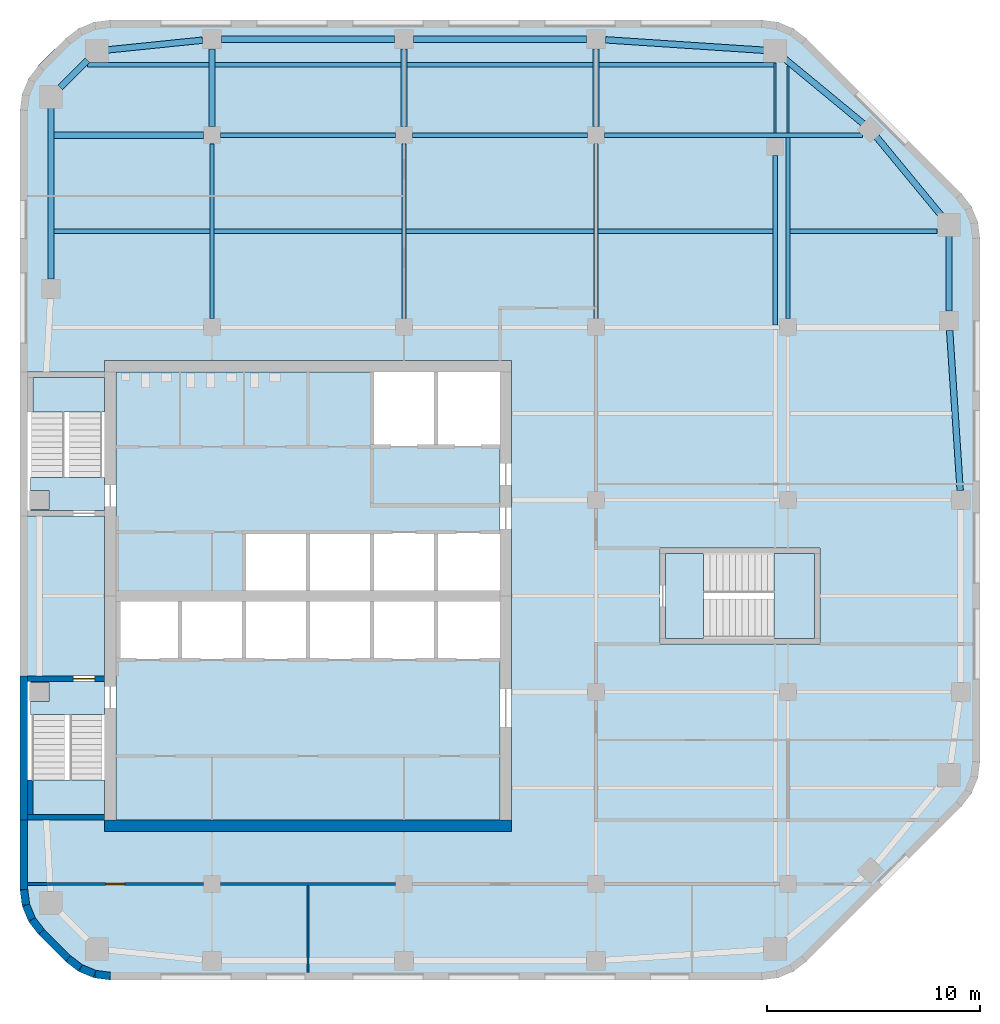
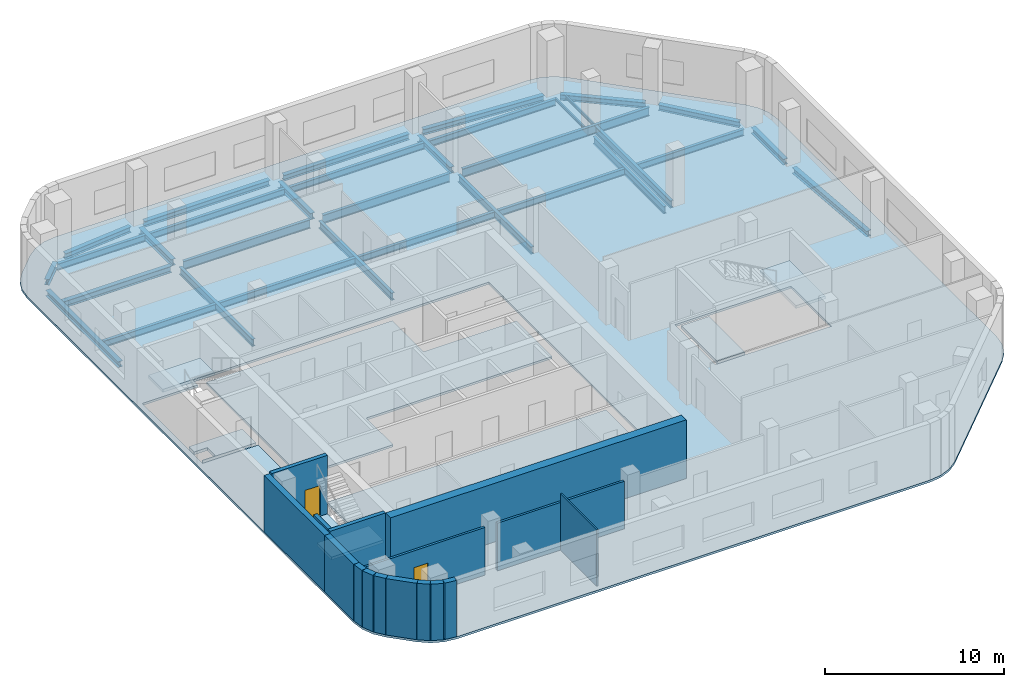
# One storey, part 2 of 7: 33 beams, 16 walls, 9 slabs, 2 doors, 2 openings, 3 elements without a shape of their own.
"""IFC4 building model written with IfcOpenShell, lengths in metres."""

from ifc_helpers import new_model, si_unit, direction, frame, frame_2d, origin, origin_2d, place, context, subcontext, project, spatial, polyline, rectangle, i_section, outline, extrude, material, layer, layer_set, material_profile, profile_set, type_object, element, fill, aggregate, save


model = new_model("IFC4")

# Units and contexts
model_context = context("Model", 3, precision=1e-05, world=origin(), true_north=direction((0.0, 1.0)))
body_context = subcontext(model_context, "Body", "Model", "MODEL_VIEW")
ifc_project = project(units=[si_unit("LENGTHUNIT", "METRE"), si_unit("AREAUNIT", "SQUARE_METRE"), si_unit("VOLUMEUNIT", "CUBIC_METRE"), si_unit("PLANEANGLEUNIT", "RADIAN"), si_unit("MASSUNIT", "GRAM", prefix="KILO")], contexts=[model_context])

# Site, building, storey
site_placement = place(None, origin())
site = spatial("IfcSite", under=ifc_project, at=site_placement, CompositionType="ELEMENT")
building_placement = place(site_placement, origin())
building = spatial("IfcBuilding", under=site, at=building_placement, Name="Cinnabar Reach Civic Tower", CompositionType="ELEMENT")
storey_placement = place(building_placement, frame((0.0, 0.0, 218.0)))
storey = spatial("IfcBuildingStorey", under=building, at=storey_placement, Name="L52", CompositionType="ELEMENT", Elevation=218.0)

# Beams
ifc_material_1 = material(Name="Steel Q355B", Category="steel")
ifc_material_profile_1 = material_profile(ifc_material_1, i_section(OverallWidth=0.3, OverallDepth=0.39, WebThickness=0.01, FlangeThickness=0.016, FilletRadius=0.013, at=origin_2d()), Name="HM390x300x10x16")
ifc_profile_set_1 = profile_set([ifc_material_profile_1], Name="Steel Q355B")
beam_type_1 = type_object("IfcBeamType", Name="HM390x300x10x16 beam R 180", PredefinedType="BEAM", material=ifc_profile_set_1)
beam_1_placement = place(storey_placement, frame((44.0702, 36.452, -0.345), z_axis=(-0.065709484267, 0.997838796438, 0.0), x_axis=(-0.997838796438, -0.065709484267, 0.0)))
element("IfcBeam", 1, at=beam_1_placement, inside=storey, type_object=beam_type_1, Name="Edge beam T1 L52 9", PredefinedType="BEAM", context=body_context, shape_type="SweptSolid", body=[
    extrude(i_section(OverallWidth=0.3, OverallDepth=0.39, WebThickness=0.01, FlangeThickness=0.016, FilletRadius=0.013, at=origin_2d()), origin(), (0.0, 0.0, 1.0), 7.5103),
])
beam_2_placement = place(storey_placement, frame((43.5469, 44.8501, -0.345), z_axis=(0.0, 1.0, 0.0), x_axis=(-1.0, 0.0, 0.0)))
element("IfcBeam", 2, at=beam_2_placement, inside=storey, type_object=beam_type_1, Name="Edge beam T1 L52 10", PredefinedType="BEAM", context=body_context, shape_type="SweptSolid", body=[
    extrude(i_section(OverallWidth=0.3, OverallDepth=0.39, WebThickness=0.01, FlangeThickness=0.016, FilletRadius=0.013, at=origin_2d()), origin(), (0.0, 0.0, 1.0), 3.616),
])
for number, where, z_axis, x_axis, name in (
    (3, (43.1906, 49.3301, -0.345), (-0.63630880182, 0.771434448755, 0.0), (-0.771434448755, -0.63630880182, 0.0), "Edge beam T1 L52 11"),
    (4, (39.5598, 53.6142, -0.345), (-0.771434448755, 0.63630880182, 0.0), (-0.63630880182, -0.771434448755, 0.0), "Edge beam T1 L52 12"),
):
    element("IfcBeam", number, at=place(storey_placement, frame(where, z_axis=z_axis, x_axis=x_axis)), inside=storey, type_object=beam_type_1, Name=name, PredefinedType="BEAM", context=body_context, shape_type="SweptSolid", body=[
        extrude(i_section(OverallWidth=0.3, OverallDepth=0.39, WebThickness=0.01, FlangeThickness=0.016, FilletRadius=0.013, at=origin_2d()), origin(), (0.0, 0.0, 1.0), 4.8348),
    ])
beam_3_placement = place(storey_placement, frame((34.9661, 57.0754, -0.345), z_axis=(-0.99783894477, 0.065707231721, 0.0), x_axis=(-0.065707231721, -0.99783894477, 0.0)))
element("IfcBeam", 5, at=beam_3_placement, inside=storey, type_object=beam_type_1, Name="Edge beam T1 L52 13", PredefinedType="BEAM", context=body_context, shape_type="SweptSolid", body=[
    extrude(i_section(OverallWidth=0.3, OverallDepth=0.39, WebThickness=0.01, FlangeThickness=0.016, FilletRadius=0.013, at=origin_2d()), origin(), (0.0, 0.0, 1.0), 7.5304),
])
for number, where, z_axis, x_axis, name in (
    (6, (26.548, 57.6, -0.345), (-1.0, 0.0, 0.0), (0.0, -1.0, 0.0), "Edge beam T1 L52 14"),
    (7, (17.548, 57.6, -0.345), (-1.0, 0.0, 0.0), (0.0, -1.0, 0.0), "Edge beam T1 L52 15"),
):
    element("IfcBeam", number, at=place(storey_placement, frame(where, z_axis=z_axis, x_axis=x_axis)), inside=storey, type_object=beam_type_1, Name=name, PredefinedType="BEAM", context=body_context, shape_type="SweptSolid", body=[
        extrude(i_section(OverallWidth=0.3, OverallDepth=0.39, WebThickness=0.01, FlangeThickness=0.016, FilletRadius=0.013, at=origin_2d()), origin(), (0.0, 0.0, 1.0), 8.096),
    ])
beam_4_placement = place(storey_placement, frame((8.548, 57.5537, -0.345), z_axis=(-0.994792272495, -0.101923179821, 0.0), x_axis=(0.101923179821, -0.994792272495, 0.0)))
element("IfcBeam", 8, at=beam_4_placement, inside=storey, type_object=beam_type_1, Name="Edge beam T1 L52 16", PredefinedType="BEAM", context=body_context, shape_type="SweptSolid", body=[
    extrude(i_section(OverallWidth=0.3, OverallDepth=0.39, WebThickness=0.01, FlangeThickness=0.016, FilletRadius=0.013, at=origin_2d()), origin(), (0.0, 0.0, 1.0), 4.5377),
])
beam_5_placement = place(storey_placement, frame((3.1699, 56.6149, -0.345), z_axis=(-0.707106781187, -0.707106781187, 0.0), x_axis=(0.707106781187, -0.707106781187, 0.0)))
element("IfcBeam", 9, at=beam_5_placement, inside=storey, type_object=beam_type_1, Name="Edge beam T1 L52 17", PredefinedType="BEAM", context=body_context, shape_type="SweptSolid", body=[
    extrude(i_section(OverallWidth=0.3, OverallDepth=0.39, WebThickness=0.01, FlangeThickness=0.016, FilletRadius=0.013, at=origin_2d()), origin(), (0.0, 0.0, 1.0), 1.817),
])
beam_6_placement = place(storey_placement, frame((1.4531, 54.4661, -0.345), z_axis=(0.0, -1.0, 0.0), x_axis=(1.0, 0.0, 0.0)))
element("IfcBeam", 10, at=beam_6_placement, inside=storey, type_object=beam_type_1, Name="Edge beam T1 L52 18", PredefinedType="BEAM", context=body_context, shape_type="SweptSolid", body=[
    extrude(i_section(OverallWidth=0.3, OverallDepth=0.39, WebThickness=0.01, FlangeThickness=0.016, FilletRadius=0.013, at=origin_2d()), origin(), (0.0, 0.0, 1.0), 8.116),
])
ifc_material_profile_2 = material_profile(ifc_material_1, i_section(OverallWidth=0.3, OverallDepth=0.44, WebThickness=0.011, FlangeThickness=0.018, FilletRadius=0.016, at=origin_2d()), Name="HM440x300x11x18")
ifc_profile_set_2 = profile_set([ifc_material_profile_2], Name="Steel Q355B")
beam_type_2 = type_object("IfcBeamType", Name="HM440x300x11x18 beam R 180", PredefinedType="BEAM", material=ifc_profile_set_2)
beam_7_placement = place(storey_placement, frame((1.6051, 53.1, -0.37), z_axis=(1.0, 0.0, 0.0), x_axis=(0.0, 1.0, 0.0)))
element("IfcBeam", 11, at=beam_7_placement, inside=storey, type_object=beam_type_2, Name="Girder T1 L52 17", PredefinedType="BEAM", context=body_context, shape_type="SweptSolid", body=[
    extrude(i_section(OverallWidth=0.3, OverallDepth=0.44, WebThickness=0.011, FlangeThickness=0.018, FilletRadius=0.016, at=origin_2d()), origin(), (0.0, 0.0, 1.0), 6.9929),
])
for number, where, z_axis, x_axis, name in (
    (12, (9.0, 53.502, -0.37), (0.0, 1.0, 0.0), (-1.0, 0.0, 0.0), "Girder T1 L52 5"),
    (13, (18.0, 53.502, -0.37), (0.0, 1.0, 0.0), (-1.0, 0.0, 0.0), "Girder T1 L52 10"),
    (14, (27.0, 53.502, -0.37), (0.0, 1.0, 0.0), (-1.0, 0.0, 0.0), "Girder T1 L52 16"),
):
    element("IfcBeam", number, at=place(storey_placement, frame(where, z_axis=z_axis, x_axis=x_axis)), inside=storey, type_object=beam_type_2, Name=name, PredefinedType="BEAM", context=body_context, shape_type="SweptSolid", body=[
        extrude(i_section(OverallWidth=0.3, OverallDepth=0.44, WebThickness=0.011, FlangeThickness=0.018, FilletRadius=0.016, at=origin_2d()), origin(), (0.0, 0.0, 1.0), 3.646),
    ])
ifc_material_profile_3 = material_profile(ifc_material_1, i_section(OverallWidth=0.099, OverallDepth=0.198, WebThickness=0.0045, FlangeThickness=0.007, FilletRadius=0.013, at=origin_2d()), Name="HN200x100x5.5x8")
ifc_profile_set_3 = profile_set([ifc_material_profile_3], Name="Steel Q355B")
beam_type_3 = type_object("IfcBeamType", Name="HN200x100x5.5x8 beam R 180", PredefinedType="BEAM", material=ifc_profile_set_3)
beam_8_placement = place(storey_placement, frame((35.3981, 53.2015, -0.249), z_axis=(0.0, 1.0, 0.0), x_axis=(-1.0, 0.0, 0.0)))
element("IfcBeam", 15, at=beam_8_placement, inside=storey, type_object=beam_type_3, Name="Girder T1 L52 23", PredefinedType="BEAM", context=body_context, shape_type="SweptSolid", body=[
    extrude(i_section(OverallWidth=0.099, OverallDepth=0.198, WebThickness=0.0045, FlangeThickness=0.007, FilletRadius=0.013, at=origin_2d()), origin(), (0.0, 0.0, 1.0), 3.2934),
])
beam_9_placement = place(storey_placement, frame((36.0, 53.2015, -0.249), z_axis=(0.0, 1.0, 0.0), x_axis=(-1.0, 0.0, 0.0)))
element("IfcBeam", 16, at=beam_9_placement, inside=storey, type_object=beam_type_3, Name="Girder T1 L52 30", PredefinedType="BEAM", context=body_context, shape_type="SweptSolid", body=[
    extrude(i_section(OverallWidth=0.099, OverallDepth=0.198, WebThickness=0.0045, FlangeThickness=0.007, FilletRadius=0.013, at=origin_2d()), origin(), (0.0, 0.0, 1.0), 3.1519),
])
ifc_material_profile_4 = material_profile(ifc_material_1, i_section(OverallWidth=0.199, OverallDepth=0.446, WebThickness=0.008, FlangeThickness=0.012, FilletRadius=0.016, at=origin_2d()), Name="HN446x199x8x12")
ifc_profile_set_4 = profile_set([ifc_material_profile_4], Name="Steel Q355B")
beam_type_4 = type_object("IfcBeamType", Name="HN446x199x8x12 beam R 180", PredefinedType="BEAM", material=ifc_profile_set_4)
beam_10_placement = place(storey_placement, frame((1.6051, 48.6, -0.373), z_axis=(1.0, 0.0, 0.0), x_axis=(0.0, 1.0, 0.0)))
element("IfcBeam", 17, at=beam_10_placement, inside=storey, type_object=beam_type_4, Name="Secondary beam T1 L52 11", PredefinedType="BEAM", context=body_context, shape_type="SweptSolid", body=[
    extrude(i_section(OverallWidth=0.199, OverallDepth=0.446, WebThickness=0.008, FlangeThickness=0.012, FilletRadius=0.016, at=origin_2d()), origin(), (0.0, 0.0, 1.0), 7.2929),
])
for number, where, z_axis, x_axis, name in (
    (18, (9.102, 48.6, -0.373), (1.0, 0.0, 0.0), (0.0, 1.0, 0.0), "Secondary beam T1 L52 12"),
    (19, (18.102, 48.6, -0.373), (1.0, 0.0, 0.0), (0.0, 1.0, 0.0), "Secondary beam T1 L52 13"),
):
    element("IfcBeam", number, at=place(storey_placement, frame(where, z_axis=z_axis, x_axis=x_axis)), inside=storey, type_object=beam_type_4, Name=name, PredefinedType="BEAM", context=body_context, shape_type="SweptSolid", body=[
        extrude(i_section(OverallWidth=0.199, OverallDepth=0.446, WebThickness=0.008, FlangeThickness=0.012, FilletRadius=0.016, at=origin_2d()), origin(), (0.0, 0.0, 1.0), 8.796),
    ])
beam_11_placement = place(storey_placement, frame((27.102, 48.6, -0.373), z_axis=(1.0, 0.0, 0.0), x_axis=(0.0, 1.0, 0.0)))
element("IfcBeam", 20, at=beam_11_placement, inside=storey, type_object=beam_type_4, Name="Secondary beam T1 L52 14", PredefinedType="BEAM", context=body_context, shape_type="SweptSolid", body=[
    extrude(i_section(OverallWidth=0.199, OverallDepth=0.446, WebThickness=0.008, FlangeThickness=0.012, FilletRadius=0.016, at=origin_2d()), origin(), (0.0, 0.0, 1.0), 8.1941),
])
beam_12_placement = place(storey_placement, frame((36.102, 48.6, -0.373), z_axis=(1.0, 0.0, 0.0), x_axis=(0.0, 1.0, 0.0)))
element("IfcBeam", 21, at=beam_12_placement, inside=storey, type_object=beam_type_4, Name="Secondary beam T1 L52 15", PredefinedType="BEAM", context=body_context, shape_type="SweptSolid", body=[
    extrude(i_section(OverallWidth=0.199, OverallDepth=0.446, WebThickness=0.008, FlangeThickness=0.012, FilletRadius=0.016, at=origin_2d()), origin(), (0.0, 0.0, 1.0), 6.8929),
])
beam_13_placement = place(storey_placement, frame((3.17, 56.4, -0.373), z_axis=(1.0, 0.0, 0.0), x_axis=(0.0, 1.0, 0.0)))
element("IfcBeam", 22, at=beam_13_placement, inside=storey, type_object=beam_type_4, Name="Secondary beam T1 L52 16", PredefinedType="BEAM", context=body_context, shape_type="SweptSolid", body=[
    extrude(i_section(OverallWidth=0.199, OverallDepth=0.446, WebThickness=0.008, FlangeThickness=0.012, FilletRadius=0.016, at=origin_2d()), origin(), (0.0, 0.0, 1.0), 5.678),
])
for number, where, z_axis, x_axis, name in (
    (23, (9.152, 56.4, -0.373), (1.0, 0.0, 0.0), (0.0, 1.0, 0.0), "Secondary beam T1 L52 17"),
    (24, (18.152, 56.4, -0.373), (1.0, 0.0, 0.0), (0.0, 1.0, 0.0), "Secondary beam T1 L52 18"),
):
    element("IfcBeam", number, at=place(storey_placement, frame(where, z_axis=z_axis, x_axis=x_axis)), inside=storey, type_object=beam_type_4, Name=name, PredefinedType="BEAM", context=body_context, shape_type="SweptSolid", body=[
        extrude(i_section(OverallWidth=0.199, OverallDepth=0.446, WebThickness=0.008, FlangeThickness=0.012, FilletRadius=0.016, at=origin_2d()), origin(), (0.0, 0.0, 1.0), 8.696),
    ])
beam_14_placement = place(storey_placement, frame((27.152, 56.4, -0.373), z_axis=(1.0, 0.0, 0.0), x_axis=(0.0, 1.0, 0.0)))
element("IfcBeam", 25, at=beam_14_placement, inside=storey, type_object=beam_type_4, Name="Secondary beam T1 L52 19", PredefinedType="BEAM", context=body_context, shape_type="SweptSolid", body=[
    extrude(i_section(OverallWidth=0.199, OverallDepth=0.446, WebThickness=0.008, FlangeThickness=0.012, FilletRadius=0.016, at=origin_2d()), origin(), (0.0, 0.0, 1.0), 8.1946),
])
ifc_material_profile_5 = material_profile(ifc_material_1, i_section(OverallWidth=0.2, OverallDepth=0.5, WebThickness=0.01, FlangeThickness=0.016, FilletRadius=0.016, at=origin_2d()), Name="HN500x200x10x16")
ifc_profile_set_5 = profile_set([ifc_material_profile_5], Name="Steel Q355B")
beam_type_5 = type_object("IfcBeamType", Name="HN500x200x10x16 beam R 180", PredefinedType="BEAM", material=ifc_profile_set_5)
for number, where, z_axis, x_axis, name in (
    (26, (9.0, 44.502, -0.4), (0.0, 1.0, 0.0), (-1.0, 0.0, 0.0), "Girder T1 L52 4"),
    (27, (18.0, 44.502, -0.4), (0.0, 1.0, 0.0), (-1.0, 0.0, 0.0), "Girder T1 L52 9"),
    (28, (27.0, 44.502, -0.4), (0.0, 1.0, 0.0), (-1.0, 0.0, 0.0), "Girder T1 L52 15"),
):
    element("IfcBeam", number, at=place(storey_placement, frame(where, z_axis=z_axis, x_axis=x_axis)), inside=storey, type_object=beam_type_5, Name=name, PredefinedType="BEAM", context=body_context, shape_type="SweptSolid", body=[
        extrude(i_section(OverallWidth=0.2, OverallDepth=0.5, WebThickness=0.01, FlangeThickness=0.016, FilletRadius=0.016, at=origin_2d()), origin(), (0.0, 0.0, 1.0), 8.196),
    ])
beam_15_placement = place(storey_placement, frame((35.3981, 44.2015, -0.4), z_axis=(0.0, 1.0, 0.0), x_axis=(-1.0, 0.0, 0.0)))
element("IfcBeam", 29, at=beam_15_placement, inside=storey, type_object=beam_type_5, Name="Girder T1 L52 22", PredefinedType="BEAM", context=body_context, shape_type="SweptSolid", body=[
    extrude(i_section(OverallWidth=0.2, OverallDepth=0.5, WebThickness=0.01, FlangeThickness=0.016, FilletRadius=0.016, at=origin_2d()), origin(), (0.0, 0.0, 1.0), 7.9434),
])
beam_16_placement = place(storey_placement, frame((36.0, 44.502, -0.4), z_axis=(0.0, 1.0, 0.0), x_axis=(-1.0, 0.0, 0.0)))
element("IfcBeam", 30, at=beam_16_placement, inside=storey, type_object=beam_type_5, Name="Girder T1 L52 29", PredefinedType="BEAM", context=body_context, shape_type="SweptSolid", body=[
    extrude(i_section(OverallWidth=0.2, OverallDepth=0.5, WebThickness=0.01, FlangeThickness=0.016, FilletRadius=0.016, at=origin_2d()), origin(), (0.0, 0.0, 1.0), 8.4965),
])
ifc_material_profile_6 = material_profile(ifc_material_1, i_section(OverallWidth=0.199, OverallDepth=0.596, WebThickness=0.01, FlangeThickness=0.015, FilletRadius=0.016, at=origin_2d()), Name="HN596x199x10x15")
ifc_profile_set_6 = profile_set([ifc_material_profile_6], Name="Steel Q355B")
beam_type_6 = type_object("IfcBeamType", Name="HN596x199x10x15 beam R 180", PredefinedType="BEAM", material=ifc_profile_set_6)
for number, where, z_axis, x_axis, name in (
    (31, (9.402, 53.1, -0.448), (1.0, 0.0, 0.0), (0.0, 1.0, 0.0), "Girder T1 L52 18"),
    (32, (18.402, 53.1, -0.448), (1.0, 0.0, 0.0), (0.0, 1.0, 0.0), "Girder T1 L52 19"),
):
    element("IfcBeam", number, at=place(storey_placement, frame(where, z_axis=z_axis, x_axis=x_axis)), inside=storey, type_object=beam_type_6, Name=name, PredefinedType="BEAM", context=body_context, shape_type="SweptSolid", body=[
        extrude(i_section(OverallWidth=0.199, OverallDepth=0.596, WebThickness=0.01, FlangeThickness=0.015, FilletRadius=0.016, at=origin_2d()), origin(), (0.0, 0.0, 1.0), 8.196),
    ])
beam_17_placement = place(storey_placement, frame((27.402, 53.1, -0.448), z_axis=(1.0, 0.0, 0.0), x_axis=(0.0, 1.0, 0.0)))
element("IfcBeam", 33, at=beam_17_placement, inside=storey, type_object=beam_type_6, Name="Girder T1 L52 20", PredefinedType="BEAM", context=body_context, shape_type="SweptSolid", body=[
    extrude(i_section(OverallWidth=0.199, OverallDepth=0.596, WebThickness=0.01, FlangeThickness=0.015, FilletRadius=0.016, at=origin_2d()), origin(), (0.0, 0.0, 1.0), 12.086),
])

# Slab
ifc_material_2 = material(Name="Concrete C40", Category="concrete")
ifc_layer_1 = layer(ifc_material_2, 0.15)
ifc_layer_set_1 = layer_set([ifc_layer_1], Name="Composite floor slab 150 REI 150")
slab_type_1 = type_object("IfcSlabType", Name="Composite floor slab 150 REI 150", PredefinedType="FLOOR", material=ifc_layer_set_1)
slab_1_placement = place(storey_placement, frame((0.0, 0.0, -0.15)))
element("IfcSlab", 34, at=slab_1_placement, inside=storey, type_object=slab_type_1, Name="Composite floor slab 150 T1 L52", PredefinedType="FLOOR", context=body_context, shape_type="SweptSolid", body=[
    extrude(outline(polyline([(0.8787, 15.6213), (0.4019, 16.2426), (0.1022, 16.9662), (0.0, 17.7426), (0.0, 54.2574), (0.1022, 55.0338), (0.4019, 55.7574), (0.8787, 56.3787), (2.1213, 57.6213), (2.7426, 58.0981), (3.4662, 58.3978), (4.2426, 58.5), (34.7574, 58.5), (35.5338, 58.3978), (36.2574, 58.0981), (36.8787, 57.6213), (44.1213, 50.3787), (44.5981, 49.7574), (44.8978, 49.0338), (45.0, 48.2574), (45.0, 23.7426), (44.8978, 22.9662), (44.5981, 22.2426), (44.1213, 21.6213), (36.8787, 14.3787), (36.2574, 13.9019), (35.5338, 13.6022), (34.7574, 13.5), (4.2426, 13.5), (3.4662, 13.6022), (2.7426, 13.9019), (2.1213, 14.3787), (0.8787, 15.6213)]), holes=[polyline([(0.36, 21.0), (3.95, 21.0), (3.95, 20.45), (23.05, 20.45), (23.05, 42.55), (3.95, 42.55), (3.95, 42.0), (0.36, 42.0), (0.36, 35.25), (3.95, 35.25), (3.95, 27.75), (0.36, 27.75), (0.36, 21.0)]), polyline([(30.0, 33.75), (30.0, 29.25), (37.5, 29.25), (37.5, 33.75), (30.0, 33.75)])]), origin(), (0.0, 0.0, 1.0), 0.15),
])

# Stair, slabs
ifc_material_3 = material(Name="Concrete C40/50", Category="concrete")
stair_type = type_object("IfcStairType", Name="T1 Exit stair, half-turn", PredefinedType="HALF_TURN_STAIR", material=ifc_material_3)
stair_1_placement = place(storey_placement, origin())
stair_1 = element("IfcStair", 35, at=stair_1_placement, inside=storey, type_object=stair_type, Name="Stair T1-S1", PredefinedType="HALF_TURN_STAIR")
ifc_layer_2 = layer(ifc_material_3, 0.2)
ifc_layer_set_2 = layer_set([ifc_layer_2], Name="T1 Stair landing 200, Concrete C40/50")
slab_type_2 = type_object("IfcSlabType", Name="T1 Stair landing 200, Concrete C40/50", PredefinedType="LANDING", material=ifc_layer_set_2)
slab_2_placement = place(storey_placement, frame((0.0, 0.0, -0.2)))
slab_2 = element("IfcSlab", 36, at=slab_2_placement, type_object=slab_type_2, Name="T1-S1 landing 1", PredefinedType="LANDING", context=body_context, shape_type="SweptSolid", body=[
    extrude(outline(polyline([(0.5, 27.5), (3.95, 27.5), (3.95, 25.95), (0.5, 25.95), (0.5, 26.55), (1.35, 26.55), (1.35, 27.45), (0.5, 27.45), (0.5, 27.5)])), origin(), (0.0, 0.0, 1.0), 0.2),
])
slab_3_placement = place(storey_placement, frame((0.0, 0.0, 1.8)))
slab_3 = element("IfcSlab", 37, at=slab_3_placement, type_object=slab_type_2, Name="T1-S1 landing 2", PredefinedType="LANDING", context=body_context, shape_type="SweptSolid", body=[
    extrude(outline(polyline([(0.6, 21.25), (0.6, 22.87), (3.95, 22.87), (3.95, 21.25), (0.6, 21.25)])), origin(), (0.0, 0.0, 1.0), 0.2),
])
aggregate(stair_1, [slab_2, slab_3])

stair_2_placement = place(storey_placement, origin())
stair_2 = element("IfcStair", 38, at=stair_2_placement, inside=storey, type_object=stair_type, Name="Stair T1-S2", PredefinedType="HALF_TURN_STAIR")
slab_4_placement = place(storey_placement, frame((0.0, 0.0, -0.2)))
slab_4 = element("IfcSlab", 39, at=slab_4_placement, type_object=slab_type_2, Name="T1-S2 landing 1", PredefinedType="LANDING", context=body_context, shape_type="SweptSolid", body=[
    extrude(outline(polyline([(0.5, 37.05), (3.95, 37.05), (3.95, 35.5), (0.5, 35.5), (0.5, 35.55), (1.35, 35.55), (1.35, 36.45), (0.5, 36.45), (0.5, 37.05)])), origin(), (0.0, 0.0, 1.0), 0.2),
])
slab_5_placement = place(storey_placement, frame((0.0, 0.0, 1.8)))
slab_5 = element("IfcSlab", 40, at=slab_5_placement, type_object=slab_type_2, Name="T1-S2 landing 2", PredefinedType="LANDING", context=body_context, shape_type="SweptSolid", body=[
    extrude(outline(polyline([(0.6, 40.13), (0.6, 41.75), (3.95, 41.75), (3.95, 40.13), (0.6, 40.13)])), origin(), (0.0, 0.0, 1.0), 0.2),
])
aggregate(stair_2, [slab_4, slab_5])

stair_3_placement = place(storey_placement, origin())
stair_3 = element("IfcStair", 41, at=stair_3_placement, inside=storey, type_object=stair_type, Name="Stair T1-S3", PredefinedType="HALF_TURN_STAIR")
slab_6_placement = place(storey_placement, frame((0.0, 0.0, -0.2)))
slab_6 = element("IfcSlab", 42, at=slab_6_placement, type_object=slab_type_2, Name="T1-S3 landing 1", PredefinedType="LANDING", context=body_context, shape_type="SweptSolid", body=[
    extrude(outline(polyline([(30.25, 29.5), (32.05, 29.5), (32.05, 33.5), (30.25, 33.5), (30.25, 29.5)])), origin(), (0.0, 0.0, 1.0), 0.2),
])
slab_7_placement = place(storey_placement, frame((0.0, 0.0, 1.8)))
slab_7 = element("IfcSlab", 43, at=slab_7_placement, type_object=slab_type_2, Name="T1-S3 landing 2", PredefinedType="LANDING", context=body_context, shape_type="SweptSolid", body=[
    extrude(outline(polyline([(35.35, 29.5), (37.25, 29.5), (37.25, 33.5), (35.35, 33.5), (35.35, 29.5)])), origin(), (0.0, 0.0, 1.0), 0.2),
])
aggregate(stair_3, [slab_6, slab_7])

# Slabs
ifc_layer_3 = layer(ifc_material_3, 0.15)
ifc_layer_set_3 = layer_set([ifc_layer_3], Name="T1 core floor slab 150")
slab_type_3 = type_object("IfcSlabType", Name="T1 core floor slab 150", PredefinedType="FLOOR", material=ifc_layer_set_3)
slab_8_placement = place(storey_placement, frame((0.0, 0.0, -0.15)))
element("IfcSlab", 44, at=slab_8_placement, inside=storey, type_object=slab_type_3, Name="Core floor slab L52", PredefinedType="FLOOR", context=body_context, shape_type="SweptSolid", body=[
    extrude(outline(polyline([(22.5, 21.0), (4.5, 21.0), (4.5, 28.5), (7.5, 28.5), (10.5, 28.5), (13.5, 28.5), (16.5, 28.5), (19.5, 28.5), (22.5, 28.5), (22.5, 21.0)])), origin(), (0.0, 0.0, 1.0), 0.15),
])
slab_9_placement = place(storey_placement, frame((0.0, 0.0, -0.15)))
element("IfcSlab", 45, at=slab_9_placement, inside=storey, type_object=slab_type_3, Name="Core floor slab L52", PredefinedType="FLOOR", context=body_context, shape_type="SweptSolid", body=[
    extrude(outline(polyline([(22.5, 34.5), (19.5, 34.5), (16.5, 34.5), (13.5, 34.5), (10.5, 34.5), (10.5, 31.5), (7.5, 31.5), (4.5, 31.5), (4.5, 42.0), (16.5, 42.0), (16.5, 38.5), (19.5, 38.5), (22.5, 38.5), (22.5, 34.5)])), origin(), (0.0, 0.0, 1.0), 0.15),
])

# Walls
ifc_material_4 = material(Name="Facing brick with insulated backing", Category="masonry")
ifc_layer_4 = layer(ifc_material_4, 0.36)
ifc_layer_set_4 = layer_set([ifc_layer_4], Name="Brick corner wall")
wall_type_1 = type_object("IfcWallType", Name="Brick corner wall", PredefinedType="STANDARD", material=ifc_layer_set_4)
for number, where, z_axis, x_axis, name in (
    (46, (0.183, 17.7314, 0.0), (0.0, 0.0, 1.0), (0.13055608231, -0.99144092581, 0.0), "Brick corner wall"),
    (47, (0.2819, 17.0027, 0.0), (0.0, 0.0, 1.0), (0.382702709855, -0.923871547278, 0.0), "Brick corner wall"),
):
    element("IfcWall", number, at=place(storey_placement, frame(where, z_axis=z_axis, x_axis=x_axis)), inside=storey, type_object=wall_type_1, Name=name, PredefinedType="STANDARD", context=body_context, shape_type="SweptSolid", body=[
        extrude(rectangle(XDim=0.7131, YDim=0.36, at=frame_2d((0.3565, 0.0))), origin(), (0.0, 0.0, 1.0), 3.85),
    ])
for number, where, z_axis, x_axis, name in (
    (48, (0.566, 16.3245, 0.0), (0.0, 0.0, 1.0), (0.608802368033, -0.793321924995, 0.0), "Brick corner wall"),
    (49, (2.2587, 14.5002, 0.0), (0.0, 0.0, 1.0), (0.793321924995, -0.608802368033, 0.0), "Brick corner wall"),
):
    element("IfcWall", number, at=place(storey_placement, frame(where, z_axis=z_axis, x_axis=x_axis)), inside=storey, type_object=wall_type_1, Name=name, PredefinedType="STANDARD", context=body_context, shape_type="SweptSolid", body=[
        extrude(rectangle(XDim=0.7132, YDim=0.36, at=frame_2d((0.3566, 0.0))), origin(), (0.0, 0.0, 1.0), 3.85),
    ])
for number, where, z_axis, x_axis, name in (
    (50, (2.8439, 14.0548, 0.0), (0.0, 0.0, 1.0), (0.923871547278, -0.382702709855, 0.0), "Brick corner wall"),
    (51, (3.5244, 13.7761, 0.0), (0.0, 0.0, 1.0), (0.99144092581, -0.13055608231, 0.0), "Brick corner wall"),
):
    element("IfcWall", number, at=place(storey_placement, frame(where, z_axis=z_axis, x_axis=x_axis)), inside=storey, type_object=wall_type_1, Name=name, PredefinedType="STANDARD", context=body_context, shape_type="SweptSolid", body=[
        extrude(rectangle(XDim=0.7131, YDim=0.36, at=frame_2d((0.3565, 0.0))), origin(), (0.0, 0.0, 1.0), 3.85),
    ])
ifc_layer_5 = layer(ifc_material_4, 0.36)
ifc_layer_set_5 = layer_set([ifc_layer_5], Name="Brick pier and spandrel wall")
wall_type_2 = type_object("IfcWallType", Name="Brick pier and spandrel wall", PredefinedType="STANDARD", material=ifc_layer_set_5)
wall_1_placement = place(storey_placement, frame((0.18, 27.75, 0.0), z_axis=(0.0, 0.0, 1.0), x_axis=(0.0, -1.0, 0.0)))
element("IfcWall", 52, at=wall_1_placement, inside=storey, type_object=wall_type_2, Name="Brick facade wall", PredefinedType="STANDARD", context=body_context, shape_type="SweptSolid", body=[
    extrude(rectangle(XDim=6.75, YDim=0.36, at=frame_2d((3.375, 0.0))), origin(), (0.0, 0.0, 1.0), 3.85),
])
wall_2_placement = place(storey_placement, frame((0.18, 21.0, 0.0), z_axis=(0.0, 0.0, 1.0), x_axis=(0.0, -1.0, 0.0)))
element("IfcWall", 53, at=wall_2_placement, inside=storey, type_object=wall_type_2, Name="Brick facade wall", PredefinedType="STANDARD", context=body_context, shape_type="SweptSolid", body=[
    extrude(rectangle(XDim=3.2574, YDim=0.36, at=frame_2d((1.6287, 0.0))), origin(), (0.0, 0.0, 1.0), 3.85),
])
wall_3_placement = place(storey_placement, frame((1.006, 15.7486, 0.0), z_axis=(0.0, 0.0, 1.0), x_axis=(0.707106781187, -0.707106781187, 0.0)))
element("IfcWall", 54, at=wall_3_placement, inside=storey, type_object=wall_type_2, Name="Brick facade wall", PredefinedType="STANDARD", context=body_context, shape_type="SweptSolid", body=[
    extrude(rectangle(XDim=1.7573, YDim=0.36, at=frame_2d((0.8787, 0.0))), origin(), (0.0, 0.0, 1.0), 3.85),
])
ifc_material_5 = material(Name="Concrete C60", Category="concrete")
ifc_layer_6 = layer(ifc_material_5, 0.55)
ifc_layer_set_6 = layer_set([ifc_layer_6], Name="Core wall 550 EI 180")
wall_type_3 = type_object("IfcWallType", Name="Core wall 550 EI 180", PredefinedType="SOLIDWALL", material=ifc_layer_set_6)
wall_4_placement = place(storey_placement, frame((3.95, 20.725, 0.0), z_axis=(0.0, 0.0, 1.0), x_axis=(1.0, 0.0, 0.0)))
element("IfcWall", 55, at=wall_4_placement, inside=storey, type_object=wall_type_3, Name="Core wall T1 L52 S", PredefinedType="SOLIDWALL", context=body_context, shape_type="SweptSolid", body=[
    extrude(rectangle(XDim=19.1, YDim=0.55, at=frame_2d((9.55, 0.0))), origin(), (0.0, 0.0, 1.0), 4.0),
])
ifc_material_6 = material(Name="Gypsum board on steel studs, double layer", Category="steel")
ifc_layer_7 = layer(ifc_material_6, 0.15)
ifc_layer_set_7 = layer_set([ifc_layer_7], Name="Corridor wall 150 T1")
wall_type_4 = type_object("IfcWallType", Name="Corridor wall 150 T1", PredefinedType="PARTITIONING", material=ifc_layer_set_7)
wall_5_placement = place(storey_placement, frame((9.4, 18.0, 0.0), z_axis=(0.0, 0.0, 1.0), x_axis=(1.0, 0.0, 0.0)))
element("IfcWall", 56, at=wall_5_placement, inside=storey, type_object=wall_type_4, Name="Corridor wall 21", PredefinedType="PARTITIONING", context=body_context, shape_type="SweptSolid", body=[
    extrude(rectangle(XDim=8.2, YDim=0.15, at=frame_2d((4.1, 0.0))), origin(), (0.0, 0.0, 1.0), 3.254),
])

# Wall, opening, door
wall_6_placement = place(storey_placement, frame((0.36, 18.0, 0.0), z_axis=(0.0, 0.0, 1.0), x_axis=(1.0, 0.0, 0.0)))
wall_6 = element("IfcWall", 57, at=wall_6_placement, inside=storey, type_object=wall_type_4, Name="Corridor wall 22", PredefinedType="PARTITIONING", context=body_context, shape_type="SweptSolid", body=[
    extrude(rectangle(XDim=8.24, YDim=0.15, at=frame_2d((4.12, 0.0))), origin(), (0.0, 0.0, 1.0), 3.254),
])
opening_1_placement = place(wall_6_placement, frame((3.65, 0.0, 0.0)))
opening_1 = element("IfcOpeningElement", 58, at=opening_1_placement, cuts=wall_6, Name="Opening D5141", PredefinedType="OPENING", context=body_context, shape_type="SweptSolid", body=[
    extrude(rectangle(XDim=0.9, YDim=2.1, at=frame_2d((0.45, 1.05))), frame((0.0, 0.085, 0.0), z_axis=(0.0, -1.0, 0.0), x_axis=(1.0, 0.0, 0.0)), (0.0, 0.0, 1.0), 0.17),
])
ifc_material_7 = material(Name="Timber door leaf in steel frame", Category="steel")
door_type_1 = type_object("IfcDoorType", Name="Single swing door 900 x 2100 corridor T1", OperationType="SINGLE_SWING_LEFT", PredefinedType="DOOR", material=ifc_material_7)
door_1_placement = place(opening_1_placement, frame((0.9, 0.0, 0.0), z_axis=(0.0, 0.0, 1.0), x_axis=(-1.0, 0.0, 0.0)))
door_1 = element("IfcDoor", 59, at=door_1_placement, inside=storey, type_object=door_type_1, Name="Door D5141", OperationType="SINGLE_SWING_RIGHT", OverallHeight=2.1, OverallWidth=0.9, PredefinedType="DOOR", context=body_context, shape_type="SweptSolid", body=[
    extrude(rectangle(XDim=0.9, YDim=2.1, at=frame_2d((0.45, 1.05))), frame((0.0, 0.025, 0.0), z_axis=(0.0, -1.0, 0.0), x_axis=(1.0, 0.0, 0.0)), (0.0, 0.0, 1.0), 0.05),
])
fill(opening_1, door_1)

# Walls
ifc_material_8 = material(Name="Gypsum board on steel studs", Category="steel")
ifc_layer_8 = layer(ifc_material_8, 0.1)
ifc_layer_set_8 = layer_set([ifc_layer_8], Name="Partition wall 100 T1")
wall_type_5 = type_object("IfcWallType", Name="Partition wall 100 T1", PredefinedType="PARTITIONING", material=ifc_layer_set_8)
wall_7_placement = place(storey_placement, frame((13.5, 13.86, 0.0), z_axis=(0.0, 0.0, 1.0), x_axis=(0.0, 1.0, 0.0)))
element("IfcWall", 60, at=wall_7_placement, inside=storey, type_object=wall_type_5, Name="Partition wall 50", PredefinedType="PARTITIONING", context=body_context, shape_type="SweptSolid", body=[
    extrude(rectangle(XDim=4.065, YDim=0.1, at=frame_2d((2.0325, 0.0))), origin(), (0.0, 0.0, 1.0), 3.85),
])
ifc_layer_9 = layer(ifc_material_5, 0.25)
ifc_layer_set_9 = layer_set([ifc_layer_9], Name="Stair shaft wall 250 EI 120")
wall_type_6 = type_object("IfcWallType", Name="Stair shaft wall 250 EI 120", PredefinedType="SOLIDWALL", material=ifc_layer_set_9)
wall_8_placement = place(storey_placement, frame((0.36, 21.125, 0.0), z_axis=(0.0, 0.0, 1.0), x_axis=(1.0, 0.0, 0.0)))
element("IfcWall", 61, at=wall_8_placement, inside=storey, type_object=wall_type_6, Name="Stair shaft wall T1-S1 L52", PredefinedType="SOLIDWALL", context=body_context, shape_type="SweptSolid", body=[
    extrude(rectangle(XDim=3.59, YDim=0.25, at=frame_2d((1.795, 0.0))), origin(), (0.0, 0.0, 1.0), 4.0),
])

# Wall, opening, door
wall_9_placement = place(storey_placement, frame((3.95, 27.625, 0.0), z_axis=(0.0, 0.0, 1.0), x_axis=(-1.0, 0.0, 0.0)))
wall_9 = element("IfcWall", 62, at=wall_9_placement, inside=storey, type_object=wall_type_6, Name="Stair shaft wall T1-S1 L52", PredefinedType="SOLIDWALL", context=body_context, shape_type="SweptSolid", body=[
    extrude(rectangle(XDim=3.59, YDim=0.25, at=frame_2d((1.795, 0.0))), origin(), (0.0, 0.0, 1.0), 4.0),
])
opening_2_placement = place(wall_9_placement, frame((0.45, 0.0, 0.0)))
opening_2 = element("IfcOpeningElement", 63, at=opening_2_placement, cuts=wall_9, Name="Opening D5110", PredefinedType="OPENING", context=body_context, shape_type="SweptSolid", body=[
    extrude(rectangle(XDim=1.0, YDim=2.1, at=frame_2d((0.5, 1.05))), frame((0.0, 0.135, 0.0), z_axis=(0.0, -1.0, 0.0), x_axis=(1.0, 0.0, 0.0)), (0.0, 0.0, 1.0), 0.27),
])
door_type_2 = type_object("IfcDoorType", Name="Stair door 1000 x 2100 T1", OperationType="SINGLE_SWING_LEFT", PredefinedType="DOOR", material=ifc_material_7)
door_2_placement = place(opening_2_placement, origin())
door_2 = element("IfcDoor", 64, at=door_2_placement, inside=storey, type_object=door_type_2, Name="Door D5110", OperationType="SINGLE_SWING_LEFT", OverallHeight=2.1, OverallWidth=1.0, PredefinedType="DOOR", context=body_context, shape_type="SweptSolid", body=[
    extrude(rectangle(XDim=1.0, YDim=2.1, at=frame_2d((0.5, 1.05))), frame((0.0, 0.025, 0.0), z_axis=(0.0, -1.0, 0.0), x_axis=(1.0, 0.0, 0.0)), (0.0, 0.0, 1.0), 0.05),
])
fill(opening_2, door_2)

# Wall
ifc_layer_10 = layer(ifc_material_3, 0.24)
ifc_layer_set_10 = layer_set([ifc_layer_10], Name="T1 landing bearer wall 240")
wall_type_7 = type_object("IfcWallType", Name="T1 landing bearer wall 240", PredefinedType="STANDARD", material=ifc_layer_set_10)
wall_10_placement = place(storey_placement, frame((0.48, 21.25, 0.0), z_axis=(0.0, 0.0, 1.0), x_axis=(0.0, 1.0, 0.0)))
element("IfcWall", 65, at=wall_10_placement, inside=storey, type_object=wall_type_7, Name="T1-S1 landing bearer wall", PredefinedType="STANDARD", context=body_context, shape_type="SweptSolid", body=[
    extrude(rectangle(XDim=1.62, YDim=0.24, at=frame_2d((0.81, 0.0))), origin(), (0.0, 0.0, 1.0), 4.0),
])

save(model, "model.ifc")
